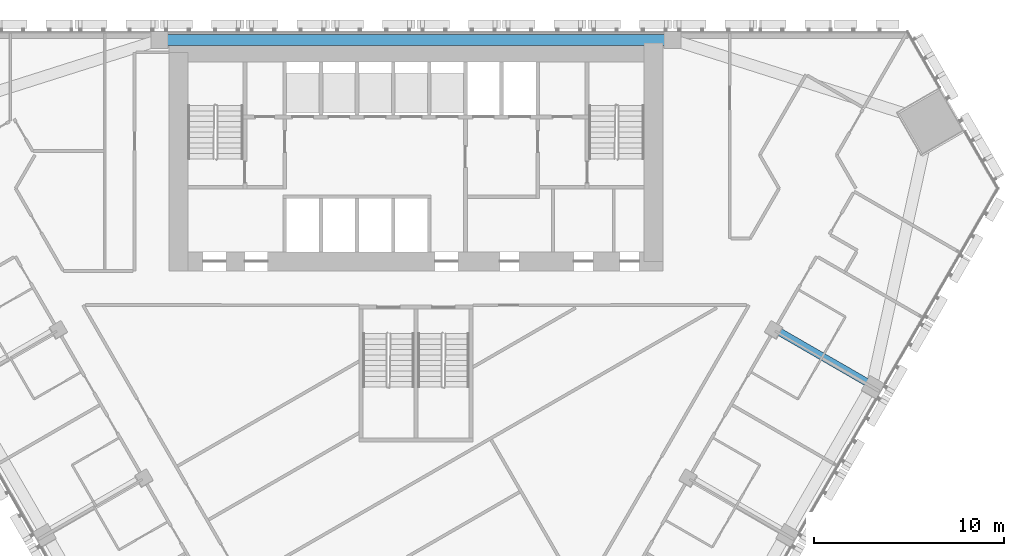
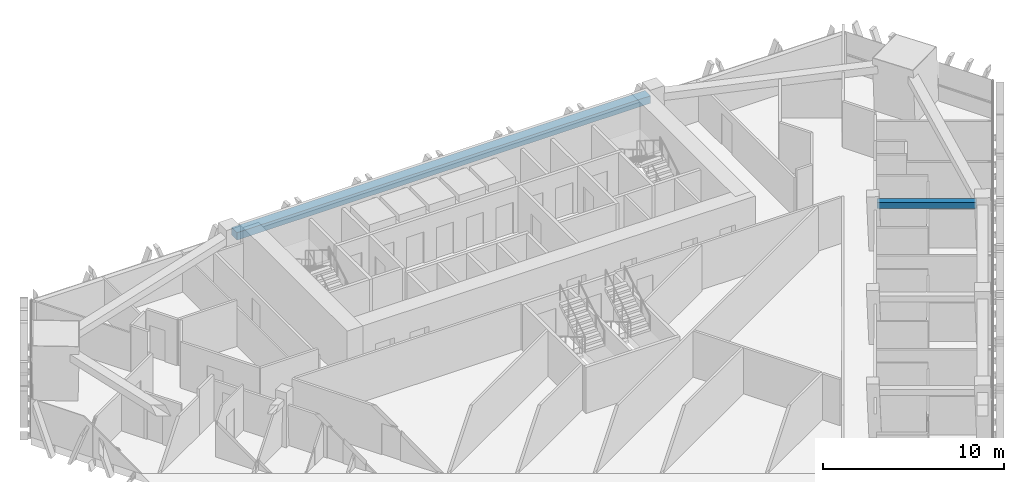
# One storey, part 7 of 18: 2 beams.
"""IFC4 building model written with IfcOpenShell, lengths in metres."""

from ifc_helpers import new_model, si_unit, direction, frame, origin, origin_2d, place, context, subcontext, project, spatial, rectangle, extrude, material, material_profile, profile_set, type_object, element, save


model = new_model("IFC4")

# Units and contexts
model_context = context("Model", 3, precision=1e-05, world=origin(), true_north=direction((0.0, 1.0)))
body_context = subcontext(model_context, "Body", "Model", "MODEL_VIEW")
ifc_project = project(units=[si_unit("LENGTHUNIT", "METRE"), si_unit("AREAUNIT", "SQUARE_METRE"), si_unit("VOLUMEUNIT", "CUBIC_METRE"), si_unit("PLANEANGLEUNIT", "RADIAN"), si_unit("MASSUNIT", "GRAM", prefix="KILO")], contexts=[model_context])

# Site, building, storey
site_placement = place(None, origin())
site = spatial("IfcSite", under=ifc_project, at=site_placement, CompositionType="ELEMENT")
building_placement = place(site_placement, origin())
building = spatial("IfcBuilding", under=site, at=building_placement, Name="Altiplano Prism Tower", CompositionType="ELEMENT")
storey_placement = place(building_placement, frame((0.0, 0.0, 48.60009765625)))
storey = spatial("IfcBuildingStorey", under=building, at=storey_placement, Name="L11", CompositionType="ELEMENT", Elevation=48.60009765625)

# Beams
ifc_material = material(Name="Concrete C60/75", Category="concrete")
ifc_material_profile_1 = material_profile(ifc_material, rectangle(XDim=0.60009765625, YDim=0.5, at=origin_2d()), Name="Edge beam 600x500")
ifc_profile_set_1 = profile_set([ifc_material_profile_1], Name="Concrete C60/75")
beam_type_1 = type_object("IfcBeamType", Name="Edge beam 600x500", PredefinedType="SPANDREL", material=ifc_profile_set_1)
beam_1_placement = place(storey_placement, frame((98.169921875, 104.550048828125, 2.849853515625), z_axis=(-1.0, 0.0, 0.0), x_axis=(0.0, -1.0, 0.0)))
element("IfcBeam", 1, at=beam_1_placement, inside=storey, type_object=beam_type_1, Name="Edge beam P01-P04 L12", PredefinedType="SPANDREL", context=body_context, shape_type="SweptSolid", body=[
    extrude(rectangle(XDim=0.60009765625, YDim=0.5, at=origin_2d()), origin(), (0.0, 0.0, 1.0), 26.33984375),
])
ifc_material_profile_2 = material_profile(ifc_material, rectangle(XDim=0.39990234375, YDim=0.39990234375, at=origin_2d()), Name="Tie beam 400x400")
ifc_profile_set_2 = profile_set([ifc_material_profile_2], Name="Concrete C60/75")
beam_type_2 = type_object("IfcBeamType", Name="Tie beam 400x400", PredefinedType="BEAM", material=ifc_profile_set_2)
beam_2_placement = place(storey_placement, frame((103.946533203125, 89.296142578125, 2.89990234375), z_axis=(0.866042665983, -0.499970099802, 0.0), x_axis=(0.499970099802, 0.866042665983, 0.0)))
element("IfcBeam", 2, at=beam_2_placement, inside=storey, type_object=beam_type_2, Name="Tie beam I24 L12", PredefinedType="BEAM", context=body_context, shape_type="SweptSolid", body=[
    extrude(rectangle(XDim=0.39990234375, YDim=0.39990234375, at=origin_2d()), origin(), (0.0, 0.0, 1.0), 5.489990234375),
])

save(model, "model.ifc")
